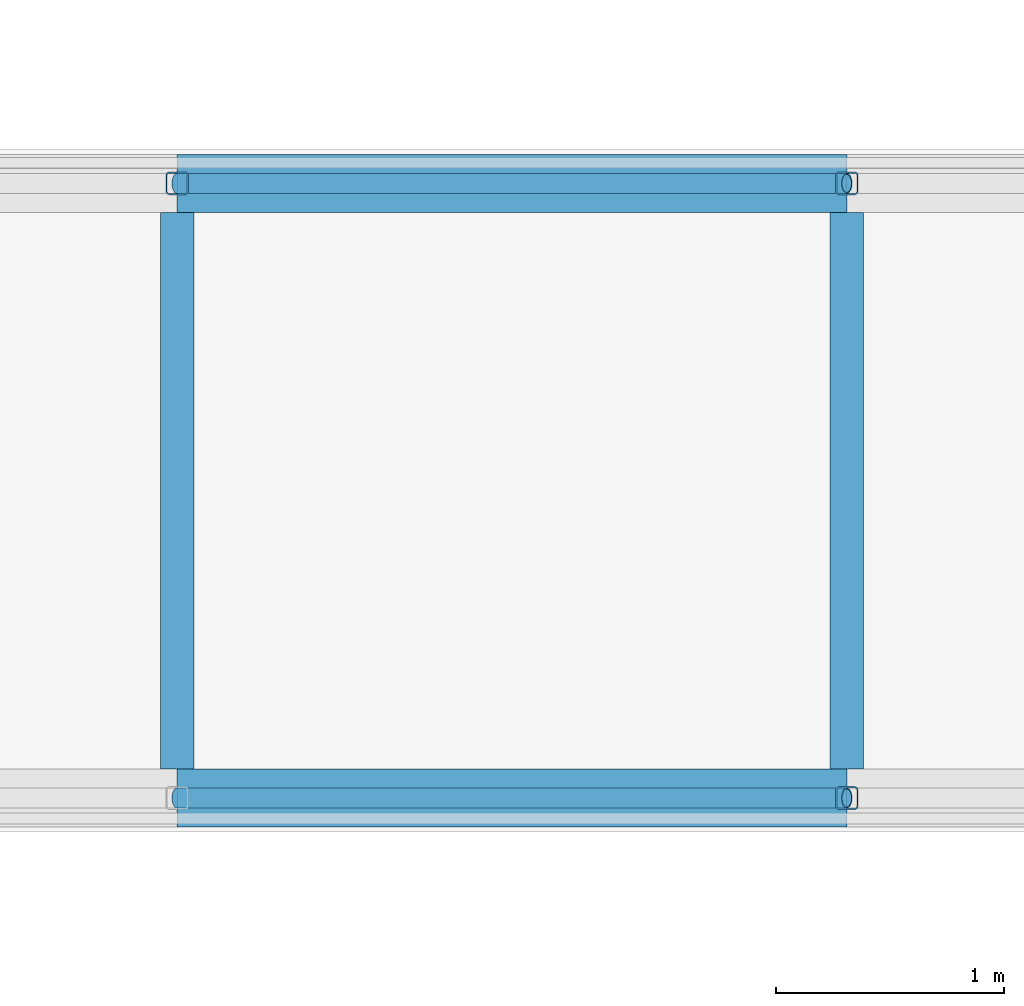
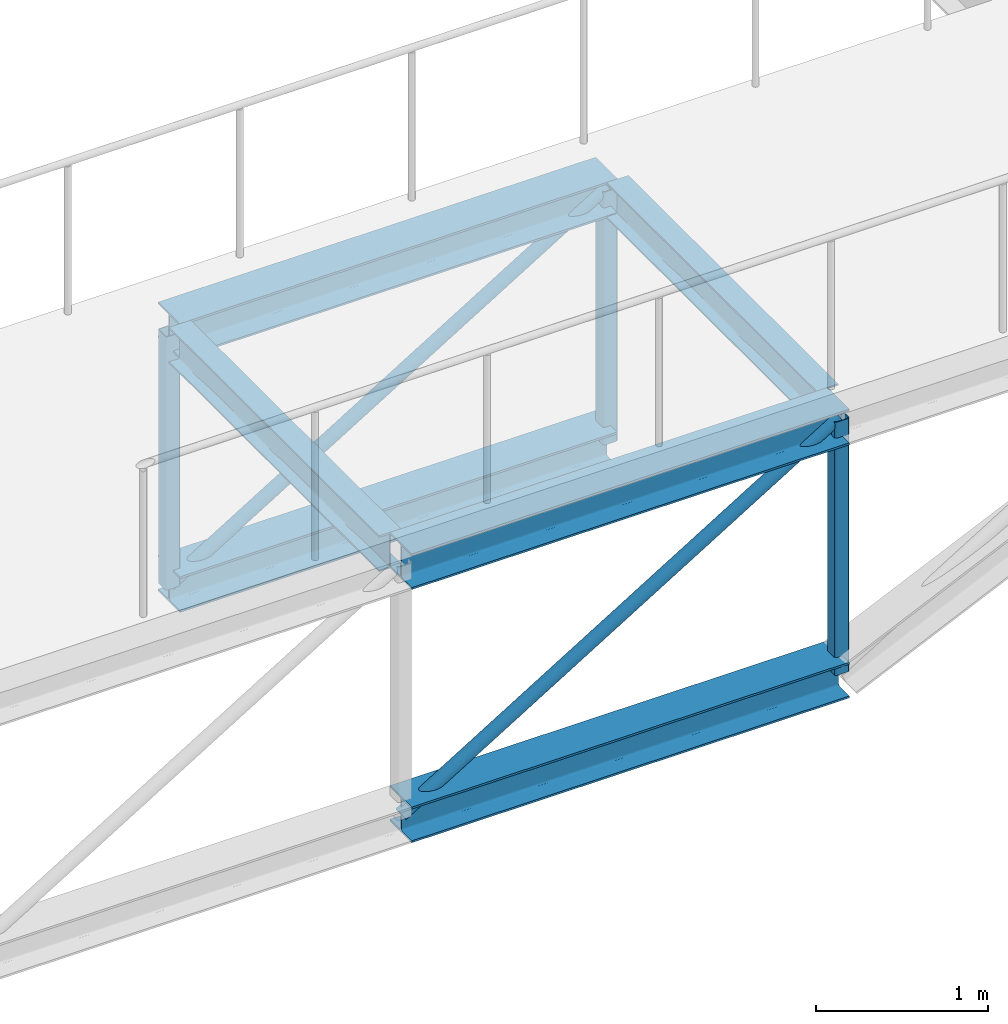
# One storey, part 22 of 61: 9 members, 2 beams.
"""IFC4 building model written with IfcOpenShell, lengths in metres."""

from ifc_helpers import new_model, si_unit, direction, frame, origin, origin_2d, place, context, subcontext, project, spatial, hollow_rectangle, hollow_circle, i_section, extrude, material, material_profile, profile_set, type_object, element, save


model = new_model("IFC4")

# Units and contexts
model_context = context("Model", 3, precision=1e-05, world=origin(), true_north=direction((0.0, 1.0)))
body_context = subcontext(model_context, "Body", "Model", "MODEL_VIEW")
ifc_project = project(units=[si_unit("LENGTHUNIT", "METRE"), si_unit("AREAUNIT", "SQUARE_METRE"), si_unit("VOLUMEUNIT", "CUBIC_METRE"), si_unit("PLANEANGLEUNIT", "RADIAN"), si_unit("MASSUNIT", "GRAM", prefix="KILO")], contexts=[model_context])

# Site, building, storey
site_placement = place(None, origin())
site = spatial("IfcSite", under=ifc_project, at=site_placement, CompositionType="ELEMENT")
building_placement = place(site_placement, origin())
building = spatial("IfcBuilding", under=site, at=building_placement, Name="Halyard Row Museum", CompositionType="ELEMENT")
storey_placement = place(building_placement, frame((0.0, 0.0, 9.199951171875)))
storey = spatial("IfcBuildingStorey", under=building, at=storey_placement, Name="L02", CompositionType="ELEMENT", Elevation=9.199951171875)

# Beams
ifc_material_1 = material(Name="Steel Grade 300", Category="steel")
ifc_material_profile_1 = material_profile(ifc_material_1, i_section(OverallWidth=0.14599609375, OverallDepth=0.256103515625, WebThickness=0.00634765625, FlangeThickness=0.010986328125, FilletRadius=0.0087890625, at=origin_2d()), Name="250UB37.3")
ifc_profile_set_1 = profile_set([ifc_material_profile_1], Name="Steel Grade 300")
beam_type = type_object("IfcBeamType", Name="Frame beam 250UB37.3", PredefinedType="BEAM", material=ifc_profile_set_1)
for number, where, z_axis, x_axis, name in (
    (1, (92.941650390625, 16.777099609375, -0.29296875), (0.0, 1.0, 0.0), (-1.0, 0.0, 0.0), "BT1 cross beam 5"),
    (2, (95.88330078125, 16.777099609375, -0.29296875), (0.0, 1.0, 0.0), (-1.0, 0.0, 0.0), "BT1 cross beam 6"),
):
    element("IfcBeam", number, at=place(storey_placement, frame(where, z_axis=z_axis, x_axis=x_axis)), inside=storey, type_object=beam_type, Name=name, PredefinedType="BEAM", context=body_context, shape_type="SweptSolid", body=[
        extrude(i_section(OverallWidth=0.14599609375, OverallDepth=0.256103515625, WebThickness=0.00634765625, FlangeThickness=0.010986328125, FilletRadius=0.0087890625, at=origin_2d()), origin(), (0.0, 0.0, 1.0), 2.44580078125),
    ])

# Members
ifc_material_2 = material(Name="Steel Grade 300", Category="steel")
ifc_material_profile_2 = material_profile(ifc_material_2, i_section(OverallWidth=0.25390625, OverallDepth=0.25390625, WebThickness=0.008544921875, FlangeThickness=0.01416015625, FilletRadius=0.013916015625, at=origin_2d()), Name="250UC72.9")
ifc_profile_set_2 = profile_set([ifc_material_profile_2], Name="Steel Grade 300")
member_type_1 = type_object("IfcMemberType", Name="Truss chord 250UC72.9 bottom", PredefinedType="CHORD", material=ifc_profile_set_2)
for number, where, z_axis, x_axis, name in (
    (3, (92.941650390625, 16.64990234375, -2.091796875), (1.0, 0.0, 0.0), (0.0, 1.0, 0.0), "BT1S bottom chord 5"),
    (4, (92.941650390625, 19.35009765625, -2.091796875), (1.0, 0.0, 0.0), (0.0, 1.0, 0.0), "BT1N bottom chord 5"),
):
    element("IfcMember", number, at=place(storey_placement, frame(where, z_axis=z_axis, x_axis=x_axis)), inside=storey, type_object=member_type_1, Name=name, PredefinedType="CHORD", context=body_context, shape_type="SweptSolid", body=[
        extrude(i_section(OverallWidth=0.25390625, OverallDepth=0.25390625, WebThickness=0.008544921875, FlangeThickness=0.01416015625, FilletRadius=0.013916015625, at=origin_2d()), origin(), (0.0, 0.0, 1.0), 2.941650390625),
    ])
ifc_material_3 = material(Name="Steel Grade 300", Category="steel")
ifc_material_profile_3 = material_profile(ifc_material_3, i_section(OverallWidth=0.25390625, OverallDepth=0.25390625, WebThickness=0.008544921875, FlangeThickness=0.01416015625, FilletRadius=0.013916015625, at=origin_2d()), Name="250UC72.9")
ifc_profile_set_3 = profile_set([ifc_material_profile_3], Name="Steel Grade 300")
member_type_2 = type_object("IfcMemberType", Name="Truss chord 250UC72.9 top", PredefinedType="CHORD", material=ifc_profile_set_3)
for number, where, z_axis, x_axis, name in (
    (5, (92.941650390625, 16.64990234375, -0.291748046875), (1.0, 0.0, 0.0), (0.0, 1.0, 0.0), "BT1S top chord 5"),
    (6, (92.941650390625, 19.35009765625, -0.291748046875), (1.0, 0.0, 0.0), (0.0, 1.0, 0.0), "BT1N top chord 5"),
):
    element("IfcMember", number, at=place(storey_placement, frame(where, z_axis=z_axis, x_axis=x_axis)), inside=storey, type_object=member_type_2, Name=name, PredefinedType="CHORD", context=body_context, shape_type="SweptSolid", body=[
        extrude(i_section(OverallWidth=0.25390625, OverallDepth=0.25390625, WebThickness=0.008544921875, FlangeThickness=0.01416015625, FilletRadius=0.013916015625, at=origin_2d()), origin(), (0.0, 0.0, 1.0), 2.941650390625),
    ])
ifc_material_4 = material(Name="Steel Grade C250L0", Category="steel")
ifc_material_profile_4 = material_profile(ifc_material_4, hollow_circle(Radius=0.04443359375, WallThickness=0.0048828125, at=origin_2d()), Name="88.9x5.0CHS")
ifc_profile_set_4 = profile_set([ifc_material_profile_4], Name="Steel Grade C250L0")
member_type_3 = type_object("IfcMemberType", Name="Truss diagonal 88.9x5.0CHS", PredefinedType="BRACE", material=ifc_profile_set_4)
for number, where, z_axis, x_axis, name in (
    (7, (92.941650390625, 16.64990234375, -2.091796875), (0.852975450501, 0.0, 0.521951032994), (0.0, 1.0, 0.0), "BT1S diagonal 5"),
    (8, (92.941650390625, 19.35009765625, -2.091796875), (0.852975450501, 0.0, 0.521951032994), (0.0, 1.0, 0.0), "BT1N diagonal 5"),
):
    element("IfcMember", number, at=place(storey_placement, frame(where, z_axis=z_axis, x_axis=x_axis)), inside=storey, type_object=member_type_3, Name=name, PredefinedType="BRACE", context=body_context, shape_type="SweptSolid", body=[
        extrude(hollow_circle(Radius=0.04443359375, WallThickness=0.0048828125, at=origin_2d()), origin(), (0.0, 0.0, 1.0), 3.44873046875),
    ])
ifc_material_5 = material(Name="Steel Grade C350L0", Category="steel")
ifc_material_profile_5 = material_profile(ifc_material_5, hollow_rectangle(XDim=0.10009765625, YDim=0.10009765625, WallThickness=0.006103515625, InnerFilletRadius=0.009033203125, OuterFilletRadius=0.014892578125, at=origin_2d()), Name="100x100x6.0SHS")
ifc_profile_set_5 = profile_set([ifc_material_profile_5], Name="Steel Grade C350L0")
member_type_4 = type_object("IfcMemberType", Name="Truss post 100x100x6.0SHS", PredefinedType="POST", material=ifc_profile_set_5)
for number, where, z_axis, x_axis, name in (
    (9, (95.88330078125, 16.64990234375, -2.091796875), (0.0, 0.0, 1.0), (1.0, 0.0, 0.0), "BT1S post 6"),
    (10, (92.941650390625, 19.35009765625, -2.091796875), (0.0, 0.0, 1.0), (1.0, 0.0, 0.0), "BT1N post 5"),
    (11, (95.88330078125, 19.35009765625, -2.091796875), (0.0, 0.0, 1.0), (1.0, 0.0, 0.0), "BT1N post 6"),
):
    element("IfcMember", number, at=place(storey_placement, frame(where, z_axis=z_axis, x_axis=x_axis)), inside=storey, type_object=member_type_4, Name=name, PredefinedType="POST", context=body_context, shape_type="SweptSolid", body=[
        extrude(hollow_rectangle(XDim=0.10009765625, YDim=0.10009765625, WallThickness=0.006103515625, InnerFilletRadius=0.009033203125, OuterFilletRadius=0.014892578125, at=origin_2d()), origin(), (0.0, 0.0, 1.0), 1.800048828125),
    ])

save(model, "model.ifc")
